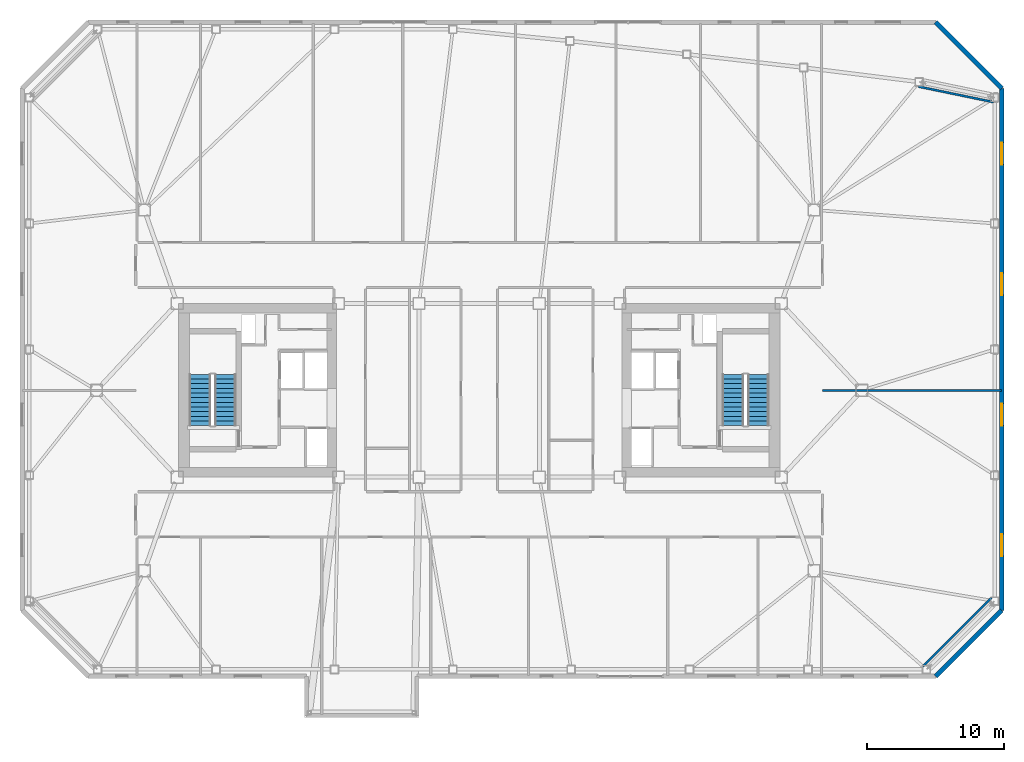
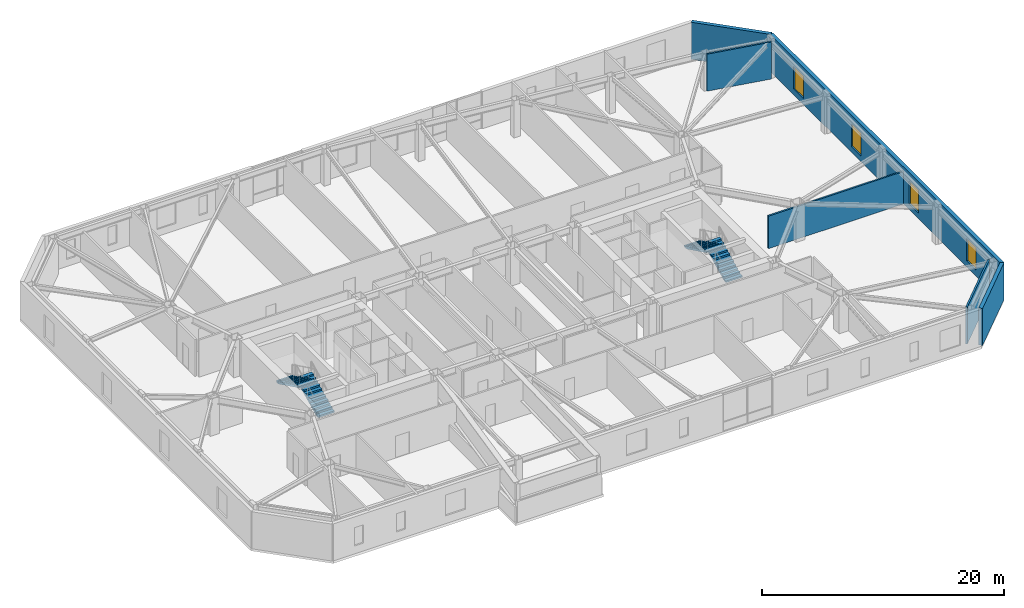
# One storey, part 13 of 17: 6 walls, 4 stair flights, 4 windows, 4 openings, 2 elements without a shape of their own.
"""IFC4 building model written with IfcOpenShell, lengths in metres."""

from ifc_helpers import new_model, si_unit, direction, frame, frame_2d, origin, place, context, subcontext, project, spatial, polyline, rectangle, outline, extrude, material, layer, layer_set, type_object, element, fill, aggregate, save


model = new_model("IFC4")

# Units and contexts
model_context = context("Model", 3, precision=1e-05, world=origin(), true_north=direction((0.0, 1.0)))
body_context = subcontext(model_context, "Body", "Model", "MODEL_VIEW")
ifc_project = project(units=[si_unit("LENGTHUNIT", "METRE"), si_unit("AREAUNIT", "SQUARE_METRE"), si_unit("VOLUMEUNIT", "CUBIC_METRE"), si_unit("PLANEANGLEUNIT", "RADIAN"), si_unit("MASSUNIT", "GRAM", prefix="KILO")], contexts=[model_context])

# Site, building, storey
site_placement = place(None, origin())
site = spatial("IfcSite", under=ifc_project, at=site_placement, CompositionType="ELEMENT")
building_placement = place(site_placement, origin())
building = spatial("IfcBuilding", under=site, at=building_placement, Name="Tavrogorsk Clinical Tower", CompositionType="ELEMENT")
storey_placement = place(building_placement, frame((0.0, 0.0, 160.199951171875)))
storey = spatial("IfcBuildingStorey", under=building, at=storey_placement, Name="L36", CompositionType="ELEMENT", Elevation=160.199951171875)

# Walls
ifc_material_1 = material(Name="Lightweight concrete blockwork B15", Category="masonry")
ifc_layer_1 = layer(ifc_material_1, 0.159912109375)
ifc_layer_set_1 = layer_set([ifc_layer_1], Name="Lightweight concrete blockwork B15")
wall_type_1 = type_object("IfcWallType", Name="PartitionWall_160", PredefinedType="PARTITIONING", material=ifc_layer_set_1)
wall_1_placement = place(storey_placement, frame((32.4794921875, -20.1796875, 0.0), z_axis=(0.0, 0.0, 1.0), x_axis=(0.707106781187, 0.707106781187, 0.0)))
element("IfcWall", 1, at=wall_1_placement, inside=storey, type_object=wall_type_1, Name="L36 Corner Exoskeleton Brace Furring Wall 1", PredefinedType="PARTITIONING", context=body_context, shape_type="SweptSolid", body=[
    extrude(rectangle(XDim=7.071044921875, YDim=0.159912109375, at=frame_2d((3.53564453125, 0.0))), origin(), (0.0, 0.0, 1.0), 3.739990234375),
])
wall_2_placement = place(storey_placement, frame((37.65087890625, 21.0869140625, 0.0), z_axis=(0.0, 0.0, 1.0), x_axis=(-0.979184618318, 0.202971631636, 0.0)))
element("IfcWall", 2, at=wall_2_placement, inside=storey, type_object=wall_type_1, Name="L36 Corner Exoskeleton Brace Furring Wall 2", PredefinedType="PARTITIONING", context=body_context, shape_type="SweptSolid", body=[
    extrude(rectangle(XDim=5.64599609375, YDim=0.159912109375, at=frame_2d((2.822998046875, 0.0))), origin(), (0.0, 0.0, 1.0), 3.739990234375),
])
wall_3_placement = place(storey_placement, frame((25.1298828125, 0.0, 0.0), z_axis=(0.0, 0.0, 1.0), x_axis=(1.0, 0.0, 0.0)))
element("IfcWall", 3, at=wall_3_placement, inside=storey, type_object=wall_type_1, Name="L36 E Wing Divider 1", PredefinedType="PARTITIONING", context=body_context, shape_type="SweptSolid", body=[
    extrude(rectangle(XDim=13.080078125, YDim=0.159912109375, at=frame_2d((6.5400390625, 0.0))), origin(), (0.0, 0.0, 1.0), 3.28515625),
])

# Wall, openings, windows
ifc_material_2 = material(Name="Precast concrete B45 with limestone cladding", Category="masonry")
ifc_layer_2 = layer(ifc_material_2, 0.340087890625)
ifc_layer_set_2 = layer_set([ifc_layer_2], Name="Precast concrete B45 with limestone cladding")
wall_type_2 = type_object("IfcWallType", Name="PrecastLimestoneWall_340", PredefinedType="STANDARD", material=ifc_layer_set_2)
wall_4_placement = place(storey_placement, frame((38.22998046875, -16.10009765625, 0.0), z_axis=(0.0, 0.0, 1.0), x_axis=(0.0, 1.0, 0.0)))
wall_4 = element("IfcWall", 4, at=wall_4_placement, inside=storey, type_object=wall_type_2, Name="L36 E Pleated Limestone Wing Wall", PredefinedType="STANDARD", context=body_context, shape_type="SweptSolid", body=[
    extrude(rectangle(XDim=38.2001953125, YDim=0.340087890625, at=frame_2d((19.10009765625, 0.0))), origin(), (0.0, 0.0, 1.0), 3.739990234375),
])
opening_1_placement = place(wall_4_placement, frame((3.97509765625, 0.0, 0.580078125)))
opening_1 = element("IfcOpeningElement", 5, at=opening_1_placement, cuts=wall_4, Name="Opening WN-07", PredefinedType="OPENING", context=body_context, shape_type="SweptSolid", body=[
    extrude(rectangle(XDim=1.60009765625, YDim=2.300048828125, at=frame_2d((0.800048828125, 1.14990234375))), frame((0.0, 0.179931640625, 0.0), z_axis=(0.0, -1.0, 0.0), x_axis=(1.0, 0.0, 0.0)), (0.0, 0.0, 1.0), 0.360107421875),
])
opening_2_placement = place(wall_4_placement, frame((13.52490234375, 0.0, 0.580078125)))
opening_2 = element("IfcOpeningElement", 6, at=opening_2_placement, cuts=wall_4, Name="Opening WN-07", PredefinedType="OPENING", context=body_context, shape_type="SweptSolid", body=[
    extrude(rectangle(XDim=1.60009765625, YDim=2.300048828125, at=frame_2d((0.800048828125, 1.14990234375))), frame((0.0, 0.179931640625, 0.0), z_axis=(0.0, -1.0, 0.0), x_axis=(1.0, 0.0, 0.0)), (0.0, 0.0, 1.0), 0.360107421875),
])
opening_3_placement = place(wall_4_placement, frame((23.074951171875, 0.0, 0.580078125)))
opening_3 = element("IfcOpeningElement", 7, at=opening_3_placement, cuts=wall_4, Name="Opening WN-07", PredefinedType="OPENING", context=body_context, shape_type="SweptSolid", body=[
    extrude(rectangle(XDim=1.60009765625, YDim=2.300048828125, at=frame_2d((0.800048828125, 1.14990234375))), frame((0.0, 0.179931640625, 0.0), z_axis=(0.0, -1.0, 0.0), x_axis=(1.0, 0.0, 0.0)), (0.0, 0.0, 1.0), 0.360107421875),
])
opening_4_placement = place(wall_4_placement, frame((32.625, 0.0, 0.580078125)))
opening_4 = element("IfcOpeningElement", 8, at=opening_4_placement, cuts=wall_4, Name="Opening WN-07", PredefinedType="OPENING", context=body_context, shape_type="SweptSolid", body=[
    extrude(rectangle(XDim=1.60009765625, YDim=2.300048828125, at=frame_2d((0.800048828125, 1.14990234375))), frame((0.0, 0.179931640625, 0.0), z_axis=(0.0, -1.0, 0.0), x_axis=(1.0, 0.0, 0.0)), (0.0, 0.0, 1.0), 0.360107421875),
])
ifc_material_3 = material(Name="Thermally broken aluminium frame and triple IGU", Category="aluminium")
window_type = type_object("IfcWindowType", Name="PleatSlotWin_1600x2300", PartitioningType="SINGLE_PANEL", PredefinedType="WINDOW", material=ifc_material_3)
window_1_placement = place(opening_1_placement, origin())
window_1 = element("IfcWindow", 9, at=window_1_placement, inside=storey, type_object=window_type, Name="L36 E Pleat Slot Window 1", OverallHeight=2.300048828125, OverallWidth=1.60009765625, PartitioningType="SINGLE_PANEL", PredefinedType="WINDOW", context=body_context, shape_type="SweptSolid", body=[
    extrude(rectangle(XDim=1.60009765625, YDim=2.300048828125, at=frame_2d((0.800048828125, 1.14990234375))), frame((0.0, 0.030029296875, 0.0), z_axis=(0.0, -1.0, 0.0), x_axis=(1.0, 0.0, 0.0)), (0.0, 0.0, 1.0), 0.06005859375),
])
fill(opening_1, window_1)
window_2_placement = place(opening_2_placement, origin())
window_2 = element("IfcWindow", 10, at=window_2_placement, inside=storey, type_object=window_type, Name="L36 E Pleat Slot Window 2", OverallHeight=2.300048828125, OverallWidth=1.60009765625, PartitioningType="SINGLE_PANEL", PredefinedType="WINDOW", context=body_context, shape_type="SweptSolid", body=[
    extrude(rectangle(XDim=1.60009765625, YDim=2.300048828125, at=frame_2d((0.800048828125, 1.14990234375))), frame((0.0, 0.030029296875, 0.0), z_axis=(0.0, -1.0, 0.0), x_axis=(1.0, 0.0, 0.0)), (0.0, 0.0, 1.0), 0.06005859375),
])
fill(opening_2, window_2)
window_3_placement = place(opening_3_placement, origin())
window_3 = element("IfcWindow", 11, at=window_3_placement, inside=storey, type_object=window_type, Name="L36 E Pleat Slot Window 3", OverallHeight=2.300048828125, OverallWidth=1.60009765625, PartitioningType="SINGLE_PANEL", PredefinedType="WINDOW", context=body_context, shape_type="SweptSolid", body=[
    extrude(rectangle(XDim=1.60009765625, YDim=2.300048828125, at=frame_2d((0.800048828125, 1.14990234375))), frame((0.0, 0.030029296875, 0.0), z_axis=(0.0, -1.0, 0.0), x_axis=(1.0, 0.0, 0.0)), (0.0, 0.0, 1.0), 0.06005859375),
])
fill(opening_3, window_3)
window_4_placement = place(opening_4_placement, origin())
window_4 = element("IfcWindow", 12, at=window_4_placement, inside=storey, type_object=window_type, Name="L36 E Pleat Slot Window 4", OverallHeight=2.300048828125, OverallWidth=1.60009765625, PartitioningType="SINGLE_PANEL", PredefinedType="WINDOW", context=body_context, shape_type="SweptSolid", body=[
    extrude(rectangle(XDim=1.60009765625, YDim=2.300048828125, at=frame_2d((0.800048828125, 1.14990234375))), frame((0.0, 0.030029296875, 0.0), z_axis=(0.0, -1.0, 0.0), x_axis=(1.0, 0.0, 0.0)), (0.0, 0.0, 1.0), 0.06005859375),
])
fill(opening_4, window_4)

# Walls
for number, where, z_axis, x_axis, name in (
    (13, (33.39990234375, -20.929931640625, 0.0), (0.0, 0.0, 1.0), (0.707124652085, 0.707088909836, 0.0), "L36 Chamfered Corner Wall 1"),
    (14, (38.22998046875, 22.10009765625, 0.0), (0.0, 0.0, 1.0), (-0.707124652085, 0.707088909836, 0.0), "L36 Chamfered Corner Wall 2"),
):
    element("IfcWall", number, at=place(storey_placement, frame(where, z_axis=z_axis, x_axis=x_axis)), inside=storey, type_object=wall_type_2, Name=name, PredefinedType="STANDARD", context=body_context, shape_type="SweptSolid", body=[
        extrude(rectangle(XDim=6.83056640625, YDim=0.340087890625, at=frame_2d((3.415283203125, 0.0))), origin(), (0.0, 0.0, 1.0), 3.739990234375),
    ])

# Stair, stair flights
ifc_material_4 = material(Name="Concrete B60", Category="concrete")
stair_type = type_object("IfcStairType", Name="CoreStairAssembly", PredefinedType="HALF_TURN_STAIR", material=ifc_material_4)
stair_1_placement = place(storey_placement, origin())
stair_1 = element("IfcStair", 15, at=stair_1_placement, inside=storey, type_object=stair_type, Name="L36 ST-W", PredefinedType="HALF_TURN_STAIR")
ifc_material_5 = material(Name="Concrete B60", Category="concrete")
stair_flight_type = type_object("IfcStairFlightType", Name="CoreStairFlight", PredefinedType="STRAIGHT", material=ifc_material_5)
stair_flight_1_placement = place(storey_placement, frame((-18.574951171875, -2.574951171875, 0.0), z_axis=(0.0, 0.0, 1.0), x_axis=(0.0, 1.0, 0.0)))
stair_flight_1 = element("IfcStairFlight", 16, at=stair_flight_1_placement, type_object=stair_flight_type, Name="ST-W flight 1", NumberOfRisers=12, NumberOfTreads=11, PredefinedType="STRAIGHT", RiserHeight=0.166666667, TreadLength=0.34, context=body_context, shape_type="SweptSolid", body=[
    extrude(outline(polyline([(0.0, 0.0), (0.0, 0.166748046875), (0.340087890625, 0.166748046875), (0.340087890625, 0.333251953125), (0.679931640625, 0.333251953125), (0.679931640625, 0.5), (1.02001953125, 0.5), (1.02001953125, 0.666748046875), (1.360107421875, 0.666748046875), (1.360107421875, 0.833251953125), (1.699951171875, 0.833251953125), (1.699951171875, 1.0), (2.0400390625, 1.0), (2.0400390625, 1.166748046875), (2.3798828125, 1.166748046875), (2.3798828125, 1.333251953125), (2.719970703125, 1.333251953125), (2.719970703125, 1.5), (3.06005859375, 1.5), (3.06005859375, 1.666748046875), (3.39990234375, 1.666748046875), (3.39990234375, 1.833251953125), (3.739990234375, 1.833251953125), (3.739990234375, 2.0), (3.739990234375, 1.66650390625), (0.340576171875, 0.0), (0.0, 0.0)])), frame((0.0, 0.77490234375, 0.0), z_axis=(0.0, -1.0, 0.0), x_axis=(1.0, 0.0, 0.0)), (0.0, 0.0, 1.0), 1.550048828125),
])
stair_flight_2_placement = place(storey_placement, frame((-20.425048828125, 1.1650390625, 2.0), z_axis=(0.0, 0.0, 1.0), x_axis=(0.0, -1.0, 0.0)))
stair_flight_2 = element("IfcStairFlight", 17, at=stair_flight_2_placement, type_object=stair_flight_type, Name="ST-W flight 2", NumberOfRisers=12, NumberOfTreads=11, PredefinedType="STRAIGHT", RiserHeight=0.166666667, TreadLength=0.34, context=body_context, shape_type="SweptSolid", body=[
    extrude(outline(polyline([(0.0, 0.0), (0.0, 0.166748046875), (0.340087890625, 0.166748046875), (0.340087890625, 0.333251953125), (0.679931640625, 0.333251953125), (0.679931640625, 0.5), (1.02001953125, 0.5), (1.02001953125, 0.666748046875), (1.360107421875, 0.666748046875), (1.360107421875, 0.833251953125), (1.699951171875, 0.833251953125), (1.699951171875, 1.0), (2.0400390625, 1.0), (2.0400390625, 1.166748046875), (2.3798828125, 1.166748046875), (2.3798828125, 1.333251953125), (2.719970703125, 1.333251953125), (2.719970703125, 1.5), (3.06005859375, 1.5), (3.06005859375, 1.666748046875), (3.39990234375, 1.666748046875), (3.39990234375, 1.833251953125), (3.739990234375, 1.833251953125), (3.739990234375, 2.0), (3.739990234375, 1.66650390625), (0.340576171875, 0.0), (0.0, 0.0)])), frame((0.0, 0.77490234375, 0.0), z_axis=(0.0, -1.0, 0.0), x_axis=(1.0, 0.0, 0.0)), (0.0, 0.0, 1.0), 1.550048828125),
])
aggregate(stair_1, [stair_flight_1, stair_flight_2])

stair_2_placement = place(storey_placement, origin())
stair_2 = element("IfcStair", 18, at=stair_2_placement, inside=storey, type_object=stair_type, Name="L36 ST-E", PredefinedType="HALF_TURN_STAIR")
stair_flight_3_placement = place(storey_placement, frame((20.425048828125, -2.574951171875, 0.0), z_axis=(0.0, 0.0, 1.0), x_axis=(0.0, 1.0, 0.0)))
stair_flight_3 = element("IfcStairFlight", 19, at=stair_flight_3_placement, type_object=stair_flight_type, Name="ST-E flight 1", NumberOfRisers=12, NumberOfTreads=11, PredefinedType="STRAIGHT", RiserHeight=0.166666667, TreadLength=0.34, context=body_context, shape_type="SweptSolid", body=[
    extrude(outline(polyline([(0.0, 0.0), (0.0, 0.166748046875), (0.340087890625, 0.166748046875), (0.340087890625, 0.333251953125), (0.679931640625, 0.333251953125), (0.679931640625, 0.5), (1.02001953125, 0.5), (1.02001953125, 0.666748046875), (1.360107421875, 0.666748046875), (1.360107421875, 0.833251953125), (1.699951171875, 0.833251953125), (1.699951171875, 1.0), (2.0400390625, 1.0), (2.0400390625, 1.166748046875), (2.3798828125, 1.166748046875), (2.3798828125, 1.333251953125), (2.719970703125, 1.333251953125), (2.719970703125, 1.5), (3.06005859375, 1.5), (3.06005859375, 1.666748046875), (3.39990234375, 1.666748046875), (3.39990234375, 1.833251953125), (3.739990234375, 1.833251953125), (3.739990234375, 2.0), (3.739990234375, 1.66650390625), (0.340576171875, 0.0), (0.0, 0.0)])), frame((0.0, 0.77490234375, 0.0), z_axis=(0.0, -1.0, 0.0), x_axis=(1.0, 0.0, 0.0)), (0.0, 0.0, 1.0), 1.550048828125),
])
stair_flight_4_placement = place(storey_placement, frame((18.574951171875, 1.1650390625, 2.0), z_axis=(0.0, 0.0, 1.0), x_axis=(0.0, -1.0, 0.0)))
stair_flight_4 = element("IfcStairFlight", 20, at=stair_flight_4_placement, type_object=stair_flight_type, Name="ST-E flight 2", NumberOfRisers=12, NumberOfTreads=11, PredefinedType="STRAIGHT", RiserHeight=0.166666667, TreadLength=0.34, context=body_context, shape_type="SweptSolid", body=[
    extrude(outline(polyline([(0.0, 0.0), (0.0, 0.166748046875), (0.340087890625, 0.166748046875), (0.340087890625, 0.333251953125), (0.679931640625, 0.333251953125), (0.679931640625, 0.5), (1.02001953125, 0.5), (1.02001953125, 0.666748046875), (1.360107421875, 0.666748046875), (1.360107421875, 0.833251953125), (1.699951171875, 0.833251953125), (1.699951171875, 1.0), (2.0400390625, 1.0), (2.0400390625, 1.166748046875), (2.3798828125, 1.166748046875), (2.3798828125, 1.333251953125), (2.719970703125, 1.333251953125), (2.719970703125, 1.5), (3.06005859375, 1.5), (3.06005859375, 1.666748046875), (3.39990234375, 1.666748046875), (3.39990234375, 1.833251953125), (3.739990234375, 1.833251953125), (3.739990234375, 2.0), (3.739990234375, 1.66650390625), (0.340576171875, 0.0), (0.0, 0.0)])), frame((0.0, 0.77490234375, 0.0), z_axis=(0.0, -1.0, 0.0), x_axis=(1.0, 0.0, 0.0)), (0.0, 0.0, 1.0), 1.550048828125),
])
aggregate(stair_2, [stair_flight_3, stair_flight_4])

save(model, "model.ifc")
